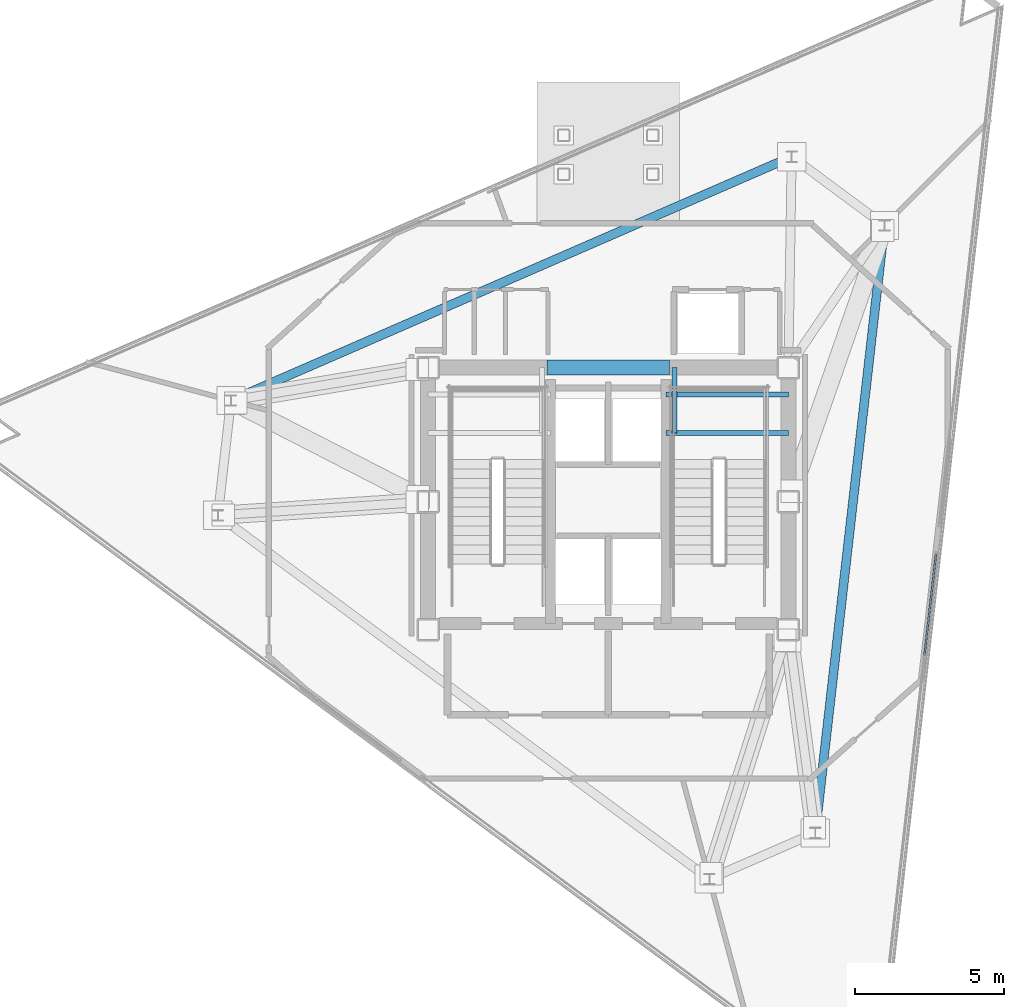
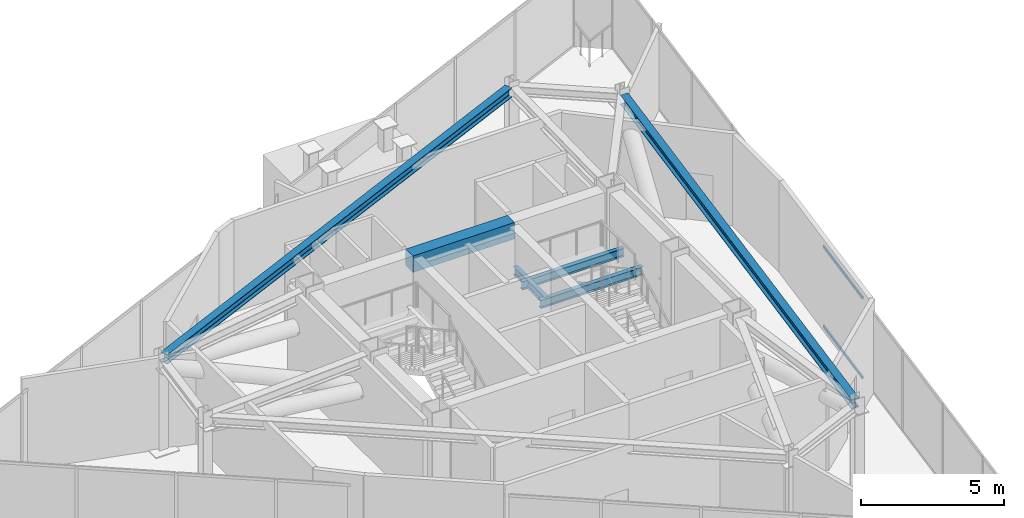
# One storey, part 5 of 11: 6 beams, 2 members, 1 element without a shape of its own.
"""IFC4 building model written with IfcOpenShell, lengths in metres."""

import ifcopenshell
import ifcopenshell.guid

model = None  # the IFC model being written
_history = None  # IfcOwnerHistory: only IFC2X3 demands one
_inside = {}  # id of a spatial element -> (the spatial element, [elements in it])
_under = {}  # id of a project, library or spatial element -> (it, [spatial elements below it])
_declared = {}  # id of a project -> (the project, [libraries it declares])
_typed = {}  # id of a type object -> (the type object, [elements of that type])
_made_of = {}  # id of a material, layer set ... -> (it, [elements and type objects made of it])


def new_model(schema):
    """Start an empty IFC model of exactly this schema.

    Asked for "IFC4X3", IfcOpenShell would pick the latest addendum, in which some entities
    have other attributes; the version numbers below select the first issue.
    IFC2X3 requires an IfcOwnerHistory on every rooted entity: one is made here for all.
    """
    global model, _history
    if schema == "IFC4X3":
        model = ifcopenshell.file(schema_version=(4, 3, 0, 0))
    else:
        model = ifcopenshell.file(schema=schema)
    _inside.clear()
    _under.clear()
    _declared.clear()
    _typed.clear()
    _made_of.clear()
    _history = None
    if model.schema == "IFC2X3":
        org = make("IfcOrganization", Name="unknown")
        user = make(
            "IfcPersonAndOrganization",
            ThePerson=make("IfcPerson", FamilyName="unknown"),
            TheOrganization=org,
        )
        app = make(
            "IfcApplication",
            ApplicationDeveloper=org,
            Version="unknown",
            ApplicationFullName="unknown",
            ApplicationIdentifier="unknown",
        )
        _history = make(
            "IfcOwnerHistory",
            OwningUser=user,
            OwningApplication=app,
            ChangeAction="ADDED",
            CreationDate=0,
        )
    return model


def make(cls, **values):
    """One entity of the class cls with the attributes given. An attribute that is None is left unset."""
    return model.create_entity(
        cls, **{name: value for name, value in values.items() if value is not None}
    )


def rooted(cls, **values):
    """An entity with a GlobalId (a new one), such as an element, a storey or a relation."""
    return make(cls, GlobalId=ifcopenshell.guid.new(), OwnerHistory=_history, **values)


def si_unit(unit_type, name, prefix=None):
    """IfcSIUnit, for example si_unit("LENGTHUNIT", "METRE", prefix="MILLI")."""
    return make("IfcSIUnit", UnitType=unit_type, Prefix=prefix, Name=name)


def assignment(units):
    """IfcUnitAssignment: the units of a project."""
    return None if units is None else make("IfcUnitAssignment", Units=units)


def point(xyz):
    """IfcCartesianPoint."""
    return None if xyz is None else make("IfcCartesianPoint", Coordinates=xyz)


def direction(xyz):
    """IfcDirection."""
    return None if xyz is None else make("IfcDirection", DirectionRatios=xyz)


def frame(location, z_axis=None, x_axis=None):
    """IfcAxis2Placement3D, a coordinate frame: its origin and axes. An axis left out is left unset."""
    return make(
        "IfcAxis2Placement3D",
        Location=point(location),
        Axis=direction(z_axis),
        RefDirection=direction(x_axis),
    )


def frame_2d(location, x_axis=None):
    """IfcAxis2Placement2D, a coordinate frame in the plane: its origin and x axis."""
    return make(
        "IfcAxis2Placement2D", Location=point(location), RefDirection=direction(x_axis)
    )


def origin():
    """The frame at (0, 0, 0) with its axes left unset."""
    return frame((0.0, 0.0, 0.0))


def origin_2d():
    """The frame at (0, 0) in the plane with its x axis left unset."""
    return frame_2d((0.0, 0.0))


def place(relative_to, where):
    """IfcLocalPlacement: puts the frame where relative to a parent placement (None: the world)."""
    return make(
        "IfcLocalPlacement", PlacementRelTo=relative_to, RelativePlacement=where
    )


def context(
    kind, dimensions, precision=None, world=None, true_north=None, identifier=None
):
    """IfcGeometricRepresentationContext, for example the 3D "Model" context."""
    return make(
        "IfcGeometricRepresentationContext",
        ContextIdentifier=identifier,
        ContextType=kind,
        CoordinateSpaceDimension=dimensions,
        Precision=precision,
        WorldCoordinateSystem=world,
        TrueNorth=true_north,
    )


def subcontext(parent, identifier, kind, view, scale=None):
    """IfcGeometricRepresentationSubContext, for example "Body" below "Model"."""
    return make(
        "IfcGeometricRepresentationSubContext",
        ContextIdentifier=identifier,
        ContextType=kind,
        ParentContext=parent,
        TargetScale=scale,
        TargetView=view,
    )


def project(units=None, contexts=None):
    """IfcProject with its units and contexts."""
    return rooted(
        "IfcProject",
        Name="project",
        RepresentationContexts=contexts,
        UnitsInContext=assignment(units),
    )


def spatial(cls, under=None, at=None, **own):
    """A site, building, storey or space (cls), placed at a placement, below another one or the project."""
    s = rooted(cls, ObjectPlacement=at, **own)
    if under is not None:
        _under.setdefault(under.id(), (under, []))[1].append(s)
    return s


def profile(cls, at=None, kind="AREA", **sizes):
    """A parametric profile (cls). Its sizes go by their IFC names, for example OverallWidth=200.0."""
    return make(cls, ProfileType=kind, Position=at, **sizes)


def rectangle(**sizes):
    """IfcRectangleProfileDef."""
    return profile("IfcRectangleProfileDef", **sizes)


def i_section(**sizes):
    """IfcIShapeProfileDef."""
    return profile("IfcIShapeProfileDef", **sizes)


def extrude(swept, where, along, depth):
    """IfcExtrudedAreaSolid: the profile swept, set in the frame where, extruded along a direction by depth."""
    return make(
        "IfcExtrudedAreaSolid",
        SweptArea=swept,
        Position=where,
        ExtrudedDirection=direction(along),
        Depth=depth,
    )


def shape(context_of_items, identifier, shape_type, items):
    """IfcShapeRepresentation: the items that make up one representation, for example the "Body"."""
    return make(
        "IfcShapeRepresentation",
        ContextOfItems=context_of_items,
        RepresentationIdentifier=identifier,
        RepresentationType=shape_type,
        Items=items,
    )


def material(Name=None, Category=None):
    """IfcMaterial."""
    return make("IfcMaterial", Name=Name, Category=Category)


def layer(
    of_material, thickness, ventilated=None, Name=None, Category=None, Priority=None
):
    """IfcMaterialLayer: one layer of a wall or slab, of a material (None: an air gap)."""
    return make(
        "IfcMaterialLayer",
        Material=of_material,
        LayerThickness=thickness,
        IsVentilated=ventilated,
        Name=Name,
        Category=Category,
        Priority=Priority,
    )


def layer_set(layers, Name=None):
    """IfcMaterialLayerSet."""
    return make("IfcMaterialLayerSet", MaterialLayers=layers, LayerSetName=Name)


def material_profile(
    of_material, cross_section, Name=None, Category=None, Priority=None
):
    """IfcMaterialProfile: a cross section and its material."""
    return make(
        "IfcMaterialProfile",
        Name=Name,
        Material=of_material,
        Profile=cross_section,
        Priority=Priority,
        Category=Category,
    )


def profile_set(profiles, Name=None, composite=None):
    """IfcMaterialProfileSet."""
    return make(
        "IfcMaterialProfileSet",
        Name=Name,
        MaterialProfiles=profiles,
        CompositeProfile=composite,
    )


def made_of(thing, what):
    """Note that an element or type object is made of a material, layer set ...; save() writes the relation."""
    if what is not None:
        _made_of.setdefault(what.id(), (what, []))[1].append(thing)
    return thing


def type_object(cls, material=None, **own):
    """A type object (cls), such as IfcWallType, which elements share."""
    return made_of(rooted(cls, **own), material)


def element(
    cls,
    number,
    at=None,
    inside=None,
    cuts=None,
    type_object=None,
    material=None,
    context=None,
    identifier="Body",
    shape_type=None,
    held_by="IfcProductDefinitionShape",
    body=None,
    shapes=None,
    **own,
):
    """One element of the class cls, such as IfcWall. Its Tag is "e" and its number.

    at: its placement. inside: the storey or other place that contains it. cuts: it is an
    opening in that element (IfcRelVoidsElement). A single representation is given by context,
    identifier, shape_type and body (its items); several are given by shapes. held_by: the class
    of the entity that holds the representations. save() writes the other relations.
    """
    e = rooted(cls, Tag="e%d" % number, ObjectPlacement=at, **own)
    if body is not None:
        shapes = [shape(context, identifier, shape_type, body)]
    if shapes is not None:
        e.Representation = make(held_by, Representations=shapes)
    if inside is not None:
        _inside.setdefault(inside.id(), (inside, []))[1].append(e)
    if cuts is not None:
        rooted(
            "IfcRelVoidsElement", RelatingBuildingElement=cuts, RelatedOpeningElement=e
        )
    if type_object is not None:
        _typed.setdefault(type_object.id(), (type_object, []))[1].append(e)
    return made_of(e, material)


def aggregate(whole, parts):
    """IfcRelAggregates: a whole, such as a stair, and the parts it consists of."""
    return rooted("IfcRelAggregates", RelatingObject=whole, RelatedObjects=parts)


def save(model, path):
    """Write the relations noted so far, then the file.

    IfcRelAggregates (storeys below a building ...), IfcRelContainedInSpatialStructure (elements
    in a storey), IfcRelDefinesByType, IfcRelAssociatesMaterial and IfcRelDeclares: one each for
    every whole, place, type object, material and project.
    """
    for whole, parts in _under.values():
        aggregate(whole, parts)
    for where, things in _inside.values():
        rooted(
            "IfcRelContainedInSpatialStructure",
            RelatedElements=things,
            RelatingStructure=where,
        )
    for kind, things in _typed.values():
        rooted("IfcRelDefinesByType", RelatedObjects=things, RelatingType=kind)
    for what, things in _made_of.values():
        rooted("IfcRelAssociatesMaterial", RelatedObjects=things, RelatingMaterial=what)
    for by, libraries in _declared.values():
        rooted("IfcRelDeclares", RelatingContext=by, RelatedDefinitions=libraries)
    model.write(path)


model = new_model("IFC4")

# Units and contexts
model_context = context("Model", 3, precision=1e-05, world=origin(), true_north=direction((0.0, 1.0)))
body_context = subcontext(model_context, "Body", "Model", "MODEL_VIEW")
ifc_project = project(units=[si_unit("LENGTHUNIT", "METRE"), si_unit("AREAUNIT", "SQUARE_METRE"), si_unit("VOLUMEUNIT", "CUBIC_METRE"), si_unit("PLANEANGLEUNIT", "RADIAN"), si_unit("MASSUNIT", "GRAM", prefix="KILO")], contexts=[model_context])

# Site, building, storey
site_placement = place(None, origin())
site = spatial("IfcSite", under=ifc_project, at=site_placement, CompositionType="ELEMENT")
building_placement = place(site_placement, origin())
building = spatial("IfcBuilding", under=site, at=building_placement, Name="Rocaltana Carrier Exchange", CompositionType="ELEMENT")
storey_placement = place(building_placement, frame((0.0, 0.0, 239.199951171875)))
storey = spatial("IfcBuildingStorey", under=building, at=storey_placement, Name="L76", CompositionType="ELEMENT", Elevation=239.199951171875)

# Curtain wall, members
ifc_material_1 = material(Name="Aluminium 6063-T6", Category="aluminium")
ifc_layer = layer(ifc_material_1, 0.110107421875)
ifc_layer_set = layer_set([ifc_layer], Name="Aluminium 6063-T6")
curtain_wall_type = type_object("IfcCurtainWallType", Name="Crown Lantern Faceted Curtain Wall CW-06", PredefinedType="NOTDEFINED", material=ifc_layer_set)
curtain_wall_placement = place(storey_placement, origin())
curtain_wall = element("IfcCurtainWall", 1, at=curtain_wall_placement, inside=storey, type_object=curtain_wall_type, Name="L76 CW-06 Run CW06-L76-F1S1", PredefinedType="NOTDEFINED")
ifc_material_2 = material(Name="Aluminium 6063-T6", Category="aluminium")
ifc_material_profile_1 = material_profile(ifc_material_2, rectangle(XDim=0.054931640625, YDim=0.110107421875, at=origin_2d()), Name="AL-55X110")
ifc_profile_set_1 = profile_set([ifc_material_profile_1], Name="Aluminium 6063-T6")
member_type = type_object("IfcMemberType", Name="CW-06 Transom AL-55X110", PredefinedType="USERDEFINED", material=ifc_profile_set_1)
member_1_placement = place(storey_placement, frame((10.620361328125, -5.157958984375, 0.027587890625), z_axis=(0.113230263574, 0.993568773367, 0.0), x_axis=(-0.993568773367, 0.113230263574, 0.0)))
member_1 = element("IfcMember", 2, at=member_1_placement, type_object=member_type, Name="CW-06 transom 5.1", ObjectType="TRANSOM", PredefinedType="USERDEFINED", context=body_context, shape_type="SweptSolid", body=[
    extrude(rectangle(XDim=0.054931640625, YDim=0.110107421875, at=origin_2d()), origin(), (0.0, 0.0, 1.0), 3.41748046875),
])
member_2_placement = place(storey_placement, frame((10.620361328125, -5.157958984375, 3.420654296875), z_axis=(0.113230263574, 0.993568773367, 0.0), x_axis=(-0.993568773367, 0.113230263574, 0.0)))
member_2 = element("IfcMember", 3, at=member_2_placement, type_object=member_type, Name="CW-06 transom 5.2", ObjectType="TRANSOM", PredefinedType="USERDEFINED", context=body_context, shape_type="SweptSolid", body=[
    extrude(rectangle(XDim=0.054931640625, YDim=0.110107421875, at=origin_2d()), origin(), (0.0, 0.0, 1.0), 3.41748046875),
])
aggregate(curtain_wall, [member_1, member_2])

# Beams
ifc_material_3 = material(Name="Concrete C60/75", Category="concrete")
ifc_material_profile_2 = material_profile(ifc_material_3, rectangle(XDim=0.5, YDim=0.699951171875, at=origin_2d()), Name="RC-BM-500X700")
ifc_profile_set_2 = profile_set([ifc_material_profile_2], Name="Concrete C60/75")
beam_type_1 = type_object("IfcBeamType", Name="Core Coupling Lintel 500x700", PredefinedType="LINTEL", material=ifc_profile_set_2)
beam_1_placement = place(storey_placement, frame((-2.050048828125, 4.5, 3.578125), z_axis=(1.0, 0.0, 0.0), x_axis=(0.0, 1.0, 0.0)))
element("IfcBeam", 4, at=beam_1_placement, inside=storey, type_object=beam_type_1, Name="L76 Core Coupling Lintel CL-N", PredefinedType="LINTEL", context=body_context, shape_type="SweptSolid", body=[
    extrude(rectangle(XDim=0.5, YDim=0.699951171875, at=origin_2d()), origin(), (0.0, 0.0, 1.0), 4.10009765625),
])
ifc_material_4 = material(Name="Steel S460", Category="steel")
ifc_material_profile_3 = material_profile(ifc_material_4, i_section(OverallWidth=0.300048828125, OverallDepth=0.39990234375, WebThickness=0.013427734375, FlangeThickness=0.02392578125, FilletRadius=0.027099609375, at=origin_2d()), Name="HEB400")
ifc_profile_set_3 = profile_set([ifc_material_profile_3], Name="Steel S460")
beam_type_2 = type_object("IfcBeamType", Name="Crown Ring Beam HEB400", PredefinedType="BEAM", material=ifc_profile_set_3)
for number, where, z_axis, x_axis, name in (
    (5, (6.972900390625, -10.95361328125, 3.72802734375), (0.113206536155, 0.993571477133, 0.0), (-0.993571477133, 0.113206536155, 0.0), "CRG-RING-L76-01"),
    (6, (5.999755859375, 11.515380859375, 3.72802734375), (-0.917063134641, -0.398742030744, 0.0), (0.398742030744, -0.917063134641, 0.0), "CRG-RING-L76-03"),
):
    element("IfcBeam", number, at=place(storey_placement, frame(where, z_axis=z_axis, x_axis=x_axis)), inside=storey, type_object=beam_type_2, Name=name, PredefinedType="BEAM", context=body_context, shape_type="SweptSolid", body=[
        extrude(i_section(OverallWidth=0.300048828125, OverallDepth=0.39990234375, WebThickness=0.013427734375, FlangeThickness=0.02392578125, FilletRadius=0.027099609375, at=origin_2d()), origin(), (0.0, 0.0, 1.0), 20.18798828125),
    ])
ifc_material_5 = material(Name="Steel S355", Category="steel")
ifc_material_profile_4 = material_profile(ifc_material_5, i_section(OverallWidth=0.172119140625, OverallDepth=0.35791015625, WebThickness=0.0078125, FlangeThickness=0.01318359375, FilletRadius=0.011962890625, at=origin_2d()), Name="W14X38")
ifc_profile_set_4 = profile_set([ifc_material_profile_4], Name="Steel S355")
beam_type_3 = type_object("IfcBeamType", Name="Floor Joist W14X38", PredefinedType="JOIST", material=ifc_profile_set_4)
for number, where, z_axis, x_axis, name in (
    (7, (1.93994140625, 2.300048828125, 1.700927734375), (1.0, 0.0, 0.0), (0.0, 1.0, 0.0), "L76 ST-2 Landing Carrier 1"),
    (8, (1.93994140625, 3.60009765625, 1.700927734375), (1.0, 0.0, 0.0), (0.0, 1.0, 0.0), "L76 ST-2 Landing Carrier 2"),
):
    element("IfcBeam", number, at=place(storey_placement, frame(where, z_axis=z_axis, x_axis=x_axis)), inside=storey, type_object=beam_type_3, Name=name, PredefinedType="JOIST", context=body_context, shape_type="SweptSolid", body=[
        extrude(i_section(OverallWidth=0.172119140625, OverallDepth=0.35791015625, WebThickness=0.0078125, FlangeThickness=0.01318359375, FilletRadius=0.011962890625, at=origin_2d()), origin(), (0.0, 0.0, 1.0), 4.110107421875),
    ])
beam_2_placement = place(storey_placement, frame((2.219970703125, 2.300048828125, 1.700927734375), z_axis=(0.0, 1.0, 0.0), x_axis=(-1.0, 0.0, 0.0)))
element("IfcBeam", 9, at=beam_2_placement, inside=storey, type_object=beam_type_3, Name="L76 ST-2 Landing Cross Trimmer", PredefinedType="JOIST", context=body_context, shape_type="SweptSolid", body=[
    extrude(i_section(OverallWidth=0.172119140625, OverallDepth=0.35791015625, WebThickness=0.0078125, FlangeThickness=0.01318359375, FilletRadius=0.011962890625, at=origin_2d()), origin(), (0.0, 0.0, 1.0), 2.199951171875),
])

save(model, "model.ifc")
